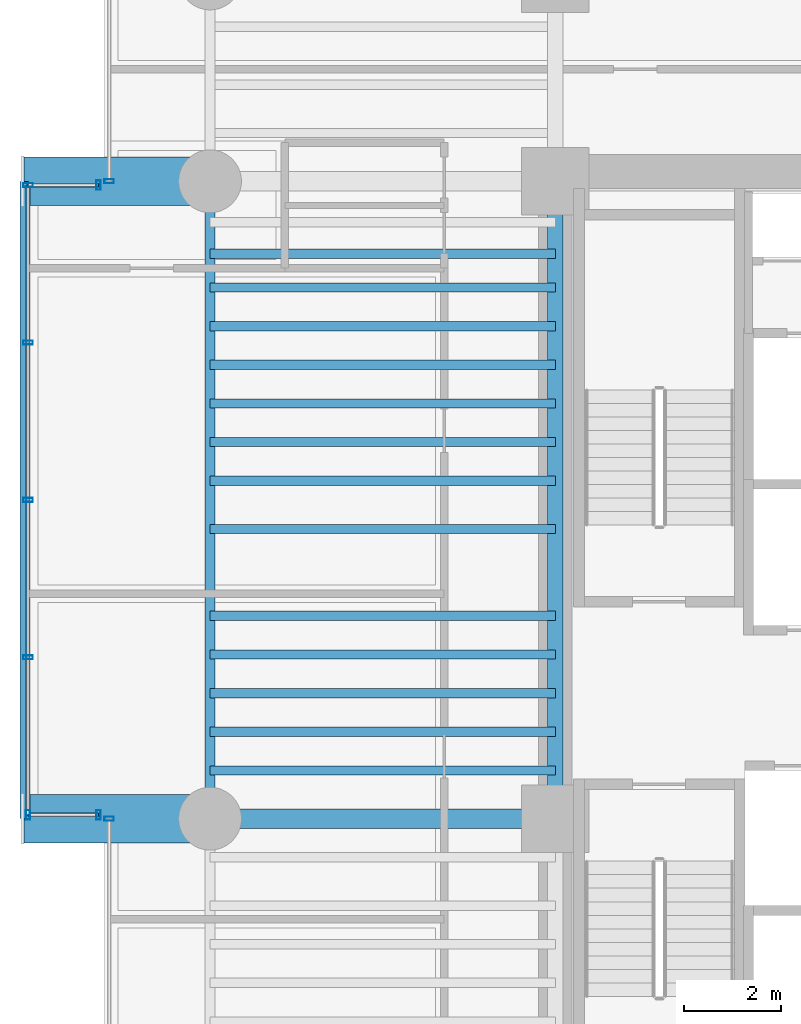
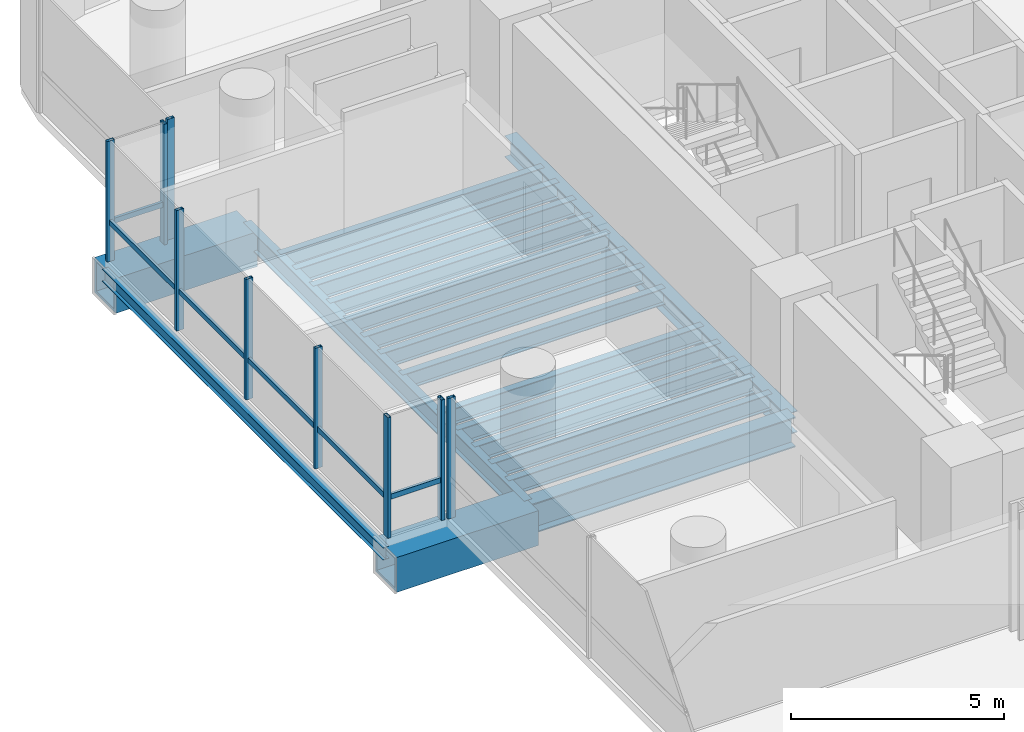
# One storey, part 8 of 39: 19 beams, 12 members, 5 elements without a shape of their own.
"""IFC4 building model written with IfcOpenShell, lengths in metres."""

from ifc_helpers import new_model, si_unit, direction, frame, origin, origin_2d, place, context, subcontext, project, spatial, hollow_rectangle, i_section, extrude, source, transform, mapped, material, material_profile, profile_set, type_object, element, aggregate, save


model = new_model("IFC4")

# Units and contexts
model_context = context("Model", 3, precision=1e-05, world=origin(), true_north=direction((0.0, 1.0)))
body_context = subcontext(model_context, "Body", "Model", "MODEL_VIEW")
ifc_project = project(units=[si_unit("LENGTHUNIT", "METRE"), si_unit("AREAUNIT", "SQUARE_METRE"), si_unit("VOLUMEUNIT", "CUBIC_METRE"), si_unit("PLANEANGLEUNIT", "RADIAN"), si_unit("MASSUNIT", "GRAM", prefix="KILO")], contexts=[model_context])

# Site, building, storey
site_placement = place(None, origin())
site = spatial("IfcSite", under=ifc_project, at=site_placement, CompositionType="ELEMENT")
building_placement = place(site_placement, origin())
building = spatial("IfcBuilding", under=site, at=building_placement, Name="Valdorenza Pilgrim Sanctuary Tower", CompositionType="ELEMENT")
storey_placement = place(building_placement, frame((0.0, 0.0, 70.39990234375)))
storey = spatial("IfcBuildingStorey", under=building, at=storey_placement, Name="L17", CompositionType="ELEMENT", Elevation=70.39990234375)

# Beams
ifc_material_1 = material(Name="Steel ASTM A992 Grade 50", Category="steel")
ifc_material_profile_1 = material_profile(ifc_material_1, i_section(OverallWidth=0.214111328125, OverallDepth=0.549072265625, WebThickness=0.0146484375, FlangeThickness=0.023681640625, at=origin_2d()), Name="W21X93")
ifc_profile_set_1 = profile_set([ifc_material_profile_1], Name="Steel ASTM A992 Grade 50")
beam_type_1 = type_object("IfcBeamType", Name="STR-BM-SPN-W21A", PredefinedType="SPANDREL", material=ifc_profile_set_1)
shared_shape_1 = source(origin(), body_context, "Body", "SweptSolid", [
    extrude(i_section(OverallWidth=0.214111328125, OverallDepth=0.549072265625, WebThickness=0.0146484375, FlangeThickness=0.023681640625, at=origin_2d()), origin(), (0.0, 0.0, 1.0), 13.2001953125),
])
beam_1_placement = place(storey_placement, frame((-29.800048828125, -2.60009765625, -0.514404296875), z_axis=(0.0, 1.0, 0.0), x_axis=(-1.0, 0.0, 0.0)))
element("IfcBeam", 1, at=beam_1_placement, inside=storey, type_object=beam_type_1, Name="L17 Spandrel Beam WA-W-M0N1", PredefinedType="SPANDREL", context=body_context, shape_type="MappedRepresentation", body=[
    mapped(shared_shape_1, transform((0.0, 0.0, 0.0), x_axis=(1.0, 0.0, 0.0), y_axis=(0.0, 1.0, 0.0), z_axis=(0.0, 0.0, 1.0), scale=1.0)),
])
ifc_material_profile_2 = material_profile(ifc_material_1, i_section(OverallWidth=0.323974609375, OverallDepth=0.611083984375, WebThickness=0.0126953125, FlangeThickness=0.01904296875, at=origin_2d()), Name="W24X104")
ifc_profile_set_2 = profile_set([ifc_material_profile_2], Name="Steel ASTM A992 Grade 50")
beam_type_2 = type_object("IfcBeamType", Name="STR-BM-GRD-W24B", PredefinedType="BEAM", material=ifc_profile_set_2)
shared_shape_2 = source(origin(), body_context, "Body", "SweptSolid", [
    extrude(i_section(OverallWidth=0.323974609375, OverallDepth=0.611083984375, WebThickness=0.0126953125, FlangeThickness=0.01904296875, at=origin_2d()), origin(), (0.0, 0.0, 1.0), 13.2001953125),
])
beam_2_placement = place(storey_placement, frame((-22.64990234375, -2.60009765625, -0.54541015625), z_axis=(0.0, 1.0, 0.0), x_axis=(-1.0, 0.0, 0.0)))
element("IfcBeam", 2, at=beam_2_placement, inside=storey, type_object=beam_type_2, Name="L17 Core Tie Girder CA-W-M0N1", PredefinedType="BEAM", context=body_context, shape_type="MappedRepresentation", body=[
    mapped(shared_shape_2, transform((0.0, 0.0, 0.0), x_axis=(1.0, 0.0, 0.0), y_axis=(0.0, 1.0, 0.0), z_axis=(0.0, 0.0, 1.0), scale=1.0)),
])
ifc_material_profile_3 = material_profile(ifc_material_1, i_section(OverallWidth=0.193115234375, OverallDepth=0.466064453125, WebThickness=0.011474609375, FlangeThickness=0.01904296875, at=origin_2d()), Name="W18X65")
ifc_profile_set_3 = profile_set([ifc_material_profile_3], Name="Steel ASTM A992 Grade 50")
beam_type_3 = type_object("IfcBeamType", Name="STR-BM-JST-W18A", PredefinedType="JOIST", material=ifc_profile_set_3)
shared_shape_3 = source(origin(), body_context, "Body", "SweptSolid", [
    extrude(i_section(OverallWidth=0.193115234375, OverallDepth=0.466064453125, WebThickness=0.011474609375, FlangeThickness=0.01904296875, at=origin_2d()), origin(), (0.0, 0.0, 1.0), 7.150146484375),
])
for number, where, z_axis, x_axis, name in (
    (3, (-29.800048828125, -1.60009765625, -0.472900390625), (1.0, 0.0, 0.0), (0.0, 1.0, 0.0), "L17 Composite Floor Joist JST-WA-10"),
    (4, (-29.800048828125, -0.800048828125, -0.472900390625), (1.0, 0.0, 0.0), (0.0, 1.0, 0.0), "L17 Composite Floor Joist JST-WA-11"),
    (5, (-29.800048828125, 0.0, -0.472900390625), (1.0, 0.0, 0.0), (0.0, 1.0, 0.0), "L17 Composite Floor Joist JST-WA-12"),
    (6, (-29.800048828125, 0.800048828125, -0.472900390625), (1.0, 0.0, 0.0), (0.0, 1.0, 0.0), "L17 Composite Floor Joist JST-WA-13"),
    (7, (-29.800048828125, 1.60009765625, -0.472900390625), (1.0, 0.0, 0.0), (0.0, 1.0, 0.0), "L17 Composite Floor Joist JST-WA-14"),
    (8, (-29.800048828125, 3.39990234375, -0.472900390625), (1.0, 0.0, 0.0), (0.0, 1.0, 0.0), "L17 Composite Floor Joist JST-WA-15"),
    (9, (-29.800048828125, 4.39990234375, -0.472900390625), (1.0, 0.0, 0.0), (0.0, 1.0, 0.0), "L17 Composite Floor Joist JST-WA-16"),
    (10, (-29.800048828125, 5.199951171875, -0.472900390625), (1.0, 0.0, 0.0), (0.0, 1.0, 0.0), "L17 Composite Floor Joist JST-WA-17"),
    (11, (-29.800048828125, 6.0, -0.472900390625), (1.0, 0.0, 0.0), (0.0, 1.0, 0.0), "L17 Composite Floor Joist JST-WA-18"),
    (12, (-29.800048828125, 6.800048828125, -0.472900390625), (1.0, 0.0, 0.0), (0.0, 1.0, 0.0), "L17 Composite Floor Joist JST-WA-19"),
    (13, (-29.800048828125, 7.60009765625, -0.472900390625), (1.0, 0.0, 0.0), (0.0, 1.0, 0.0), "L17 Composite Floor Joist JST-WA-20"),
    (14, (-29.800048828125, 8.39990234375, -0.472900390625), (1.0, 0.0, 0.0), (0.0, 1.0, 0.0), "L17 Composite Floor Joist JST-WA-21"),
    (15, (-29.800048828125, 9.10009765625, -0.472900390625), (1.0, 0.0, 0.0), (0.0, 1.0, 0.0), "L17 Composite Floor Joist JST-WA-22"),
):
    element("IfcBeam", number, at=place(storey_placement, frame(where, z_axis=z_axis, x_axis=x_axis)), inside=storey, type_object=beam_type_3, Name=name, PredefinedType="JOIST", context=body_context, shape_type="MappedRepresentation", body=[
        mapped(shared_shape_3, transform((0.0, 0.0, 0.0), x_axis=(1.0, 0.0, 0.0), y_axis=(0.0, 1.0, 0.0), z_axis=(0.0, 0.0, 1.0), scale=1.0)),
    ])
ifc_material_2 = material(Name="Steel ASTM A572 Grade 42", Category="steel")
ifc_material_profile_4 = material_profile(ifc_material_2, hollow_rectangle(XDim=1.0, YDim=1.0, WallThickness=0.080078125, at=origin_2d()), Name="BOX 1000x1000x80")
ifc_profile_set_4 = profile_set([ifc_material_profile_4], Name="Steel ASTM A572 Grade 42")
beam_type_4 = type_object("IfcBeamType", Name="STR-BM-PROW-CANT", PredefinedType="BEAM", material=ifc_profile_set_4)
shared_shape_4 = source(origin(), body_context, "Body", "SweptSolid", [
    extrude(hollow_rectangle(XDim=1.0, YDim=1.0, WallThickness=0.080078125, at=origin_2d()), origin(), (0.0, 0.0, 1.0), 3.849853515625),
])
for number, where, z_axis, x_axis, name in (
    (16, (-29.800048828125, 10.60009765625, -0.739990234375), (-1.0, 0.0, 0.0), (0.0, -1.0, 0.0), "L17 Glass Box Cantilever Beam BOX-WA-L17-CT-N"),
    (17, (-29.800048828125, -2.60009765625, -0.739990234375), (-1.0, 0.0, 0.0), (0.0, -1.0, 0.0), "L17 Glass Box Cantilever Beam BOX-WA-L17-CT-S"),
):
    element("IfcBeam", number, at=place(storey_placement, frame(where, z_axis=z_axis, x_axis=x_axis)), inside=storey, type_object=beam_type_4, Name=name, PredefinedType="BEAM", context=body_context, shape_type="MappedRepresentation", body=[
        mapped(shared_shape_4, transform((0.0, 0.0, 0.0), x_axis=(1.0, 0.0, 0.0), y_axis=(0.0, 1.0, 0.0), z_axis=(0.0, 0.0, 1.0), scale=1.0)),
    ])
ifc_material_profile_5 = material_profile(ifc_material_1, i_section(OverallWidth=0.39990234375, OverallDepth=0.862060546875, WebThickness=0.019775390625, FlangeThickness=0.032470703125, at=origin_2d()), Name="W33X221")
ifc_profile_set_5 = profile_set([ifc_material_profile_5], Name="Steel ASTM A992 Grade 50")
beam_type_5 = type_object("IfcBeamType", Name="STR-BM-GRD-W33", PredefinedType="BEAM", material=ifc_profile_set_5)
shared_shape_5 = source(origin(), body_context, "Body", "SweptSolid", [
    extrude(i_section(OverallWidth=0.39990234375, OverallDepth=0.862060546875, WebThickness=0.019775390625, FlangeThickness=0.032470703125, at=origin_2d()), origin(), (0.0, 0.0, 1.0), 7.150146484375),
])
beam_3_placement = place(storey_placement, frame((-29.800048828125, -2.60009765625, -0.6708984375), z_axis=(1.0, 0.0, 0.0), x_axis=(0.0, 1.0, 0.0)))
element("IfcBeam", 18, at=beam_3_placement, inside=storey, type_object=beam_type_5, Name="L17 Floor Girder WA-XW-M0", PredefinedType="BEAM", context=body_context, shape_type="MappedRepresentation", body=[
    mapped(shared_shape_5, transform((0.0, 0.0, 0.0), x_axis=(1.0, 0.0, 0.0), y_axis=(0.0, 1.0, 0.0), z_axis=(0.0, 0.0, 1.0), scale=1.0)),
])
ifc_material_profile_6 = material_profile(ifc_material_1, i_section(OverallWidth=0.1708984375, OverallDepth=0.35107421875, WebThickness=0.0068359375, FlangeThickness=0.009765625, at=origin_2d()), Name="W14X30")
ifc_profile_set_6 = profile_set([ifc_material_profile_6], Name="Steel ASTM A992 Grade 50")
beam_type_6 = type_object("IfcBeamType", Name="STR-BM-BOX-W14", PredefinedType="BEAM", material=ifc_profile_set_6)
shared_shape_6 = source(origin(), body_context, "Body", "SweptSolid", [
    extrude(i_section(OverallWidth=0.1708984375, OverallDepth=0.35107421875, WebThickness=0.0068359375, FlangeThickness=0.009765625, at=origin_2d()), origin(), (0.0, 0.0, 1.0), 13.2001953125),
])
beam_4_placement = place(storey_placement, frame((-33.64990234375, -2.60009765625, -0.415283203125), z_axis=(0.0, 1.0, 0.0), x_axis=(-1.0, 0.0, 0.0)))
element("IfcBeam", 19, at=beam_4_placement, inside=storey, type_object=beam_type_6, Name="L17 Glass Box Edge Beam BOX-WA-L17-F", PredefinedType="BEAM", context=body_context, shape_type="MappedRepresentation", body=[
    mapped(shared_shape_6, transform((0.0, 0.0, 0.0), x_axis=(1.0, 0.0, 0.0), y_axis=(0.0, 1.0, 0.0), z_axis=(0.0, 0.0, 1.0), scale=1.0)),
])

# Curtain wall, member
ifc_material_3 = material(Name="Curtain-wall IGU glazing", Category="glass")
curtain_wall_type = type_object("IfcCurtainWallType", Name="CW-SYS-02", PredefinedType="NOTDEFINED", material=ifc_material_3)
curtain_wall_1_placement = place(storey_placement, origin())
curtain_wall_1 = element("IfcCurtainWall", 20, at=curtain_wall_1_placement, inside=storey, type_object=curtain_wall_type, Name="L17 Curtain Wall CW-L17-BOX-WA-L17-S", PredefinedType="NOTDEFINED")
ifc_material_4 = material(Name="Anodised aluminium AW-6060", Category="aluminium")
ifc_material_profile_7 = material_profile(ifc_material_4, hollow_rectangle(XDim=0.074951171875, YDim=0.14990234375, WallThickness=0.00390625, at=origin_2d()), Name="ALU-T 150x75x4")
ifc_profile_set_7 = profile_set([ifc_material_profile_7], Name="Anodised aluminium AW-6060")
member_type_1 = type_object("IfcMemberType", Name="CW-TRN-02", PredefinedType="USERDEFINED", material=ifc_profile_set_7)
shared_shape_7 = source(origin(), body_context, "Body", "SweptSolid", [
    extrude(hollow_rectangle(XDim=0.074951171875, YDim=0.14990234375, WallThickness=0.00390625, at=origin_2d()), origin(), (0.0, 0.0, 1.0), 1.4599609375),
])
member_1_placement = place(storey_placement, frame((-32.110107421875, -2.52001953125, 1.1201171875), z_axis=(-1.0, 0.0, 0.0), x_axis=(0.0, -1.0, 0.0)))
member_1 = element("IfcMember", 21, at=member_1_placement, type_object=member_type_1, Name="CW-L17-BOX-WA-L17-S Transom 1", ObjectType="TRANSOM", PredefinedType="USERDEFINED", context=body_context, shape_type="MappedRepresentation", body=[
    mapped(shared_shape_7, transform((0.0, 0.0, 0.0), x_axis=(1.0, 0.0, 0.0), y_axis=(0.0, 1.0, 0.0), z_axis=(0.0, 0.0, 1.0), scale=1.0)),
])

curtain_wall_2_placement = place(storey_placement, origin())
curtain_wall_2 = element("IfcCurtainWall", 22, at=curtain_wall_2_placement, inside=storey, type_object=curtain_wall_type, Name="L17 Curtain Wall CW-L17-BOX-WA-L17-N", PredefinedType="NOTDEFINED")
member_2_placement = place(storey_placement, frame((-33.570068359375, 10.52001953125, 1.1201171875), z_axis=(1.0, 0.0, 0.0), x_axis=(0.0, 1.0, 0.0)))
member_2 = element("IfcMember", 23, at=member_2_placement, type_object=member_type_1, Name="CW-L17-BOX-WA-L17-N Transom 1", ObjectType="TRANSOM", PredefinedType="USERDEFINED", context=body_context, shape_type="MappedRepresentation", body=[
    mapped(shared_shape_7, transform((0.0, 0.0, 0.0), x_axis=(1.0, 0.0, 0.0), y_axis=(0.0, 1.0, 0.0), z_axis=(0.0, 0.0, 1.0), scale=1.0)),
])

curtain_wall_3_placement = place(storey_placement, origin())
curtain_wall_3 = element("IfcCurtainWall", 24, at=curtain_wall_3_placement, inside=storey, type_object=curtain_wall_type, Name="L17 Curtain Wall CW-L17-1-1S1", PredefinedType="NOTDEFINED")
ifc_material_profile_8 = material_profile(ifc_material_4, hollow_rectangle(XDim=0.0849609375, YDim=0.199951171875, WallThickness=0.0048828125, at=origin_2d()), Name="ALU-M 200x85x5")
ifc_profile_set_8 = profile_set([ifc_material_profile_8], Name="Anodised aluminium AW-6060")
member_type_2 = type_object("IfcMemberType", Name="CW-MUL-02", PredefinedType="MULLION", material=ifc_profile_set_8)
shared_shape_8 = source(origin(), body_context, "Body", "SweptSolid", [
    extrude(hollow_rectangle(XDim=0.0849609375, YDim=0.199951171875, WallThickness=0.0048828125, at=origin_2d()), origin(), (0.0, 0.0, 1.0), 3.460205078125),
])
member_3_placement = place(storey_placement, frame((-31.889892578125, -2.60009765625, 0.0), z_axis=(0.0, 0.0, 1.0), x_axis=(0.0, 1.0, 0.0)))
member_3 = element("IfcMember", 25, at=member_3_placement, type_object=member_type_2, Name="CW-L17-1-1S1 Mullion 3", PredefinedType="MULLION", context=body_context, shape_type="MappedRepresentation", body=[
    mapped(shared_shape_8, transform((0.0, 0.0, 0.0), x_axis=(1.0, 0.0, 0.0), y_axis=(0.0, 1.0, 0.0), z_axis=(0.0, 0.0, 1.0), scale=1.0)),
])
aggregate(curtain_wall_3, [member_3])

curtain_wall_4_placement = place(storey_placement, origin())
curtain_wall_4 = element("IfcCurtainWall", 26, at=curtain_wall_4_placement, inside=storey, type_object=curtain_wall_type, Name="L17 Curtain Wall CW-L17-1-1S2", PredefinedType="NOTDEFINED")
member_4_placement = place(storey_placement, frame((-31.889892578125, 10.60009765625, 0.0), z_axis=(0.0, 0.0, 1.0), x_axis=(0.0, 1.0, 0.0)))
member_4 = element("IfcMember", 27, at=member_4_placement, type_object=member_type_2, Name="CW-L17-1-1S2 Mullion 1", PredefinedType="MULLION", context=body_context, shape_type="MappedRepresentation", body=[
    mapped(shared_shape_8, transform((0.0, 0.0, 0.0), x_axis=(1.0, 0.0, 0.0), y_axis=(0.0, 1.0, 0.0), z_axis=(0.0, 0.0, 1.0), scale=1.0)),
])
aggregate(curtain_wall_4, [member_4])

# Member
member_5_placement = place(storey_placement, frame((-32.110107421875, -2.52001953125, 0.0), z_axis=(0.0, 0.0, 1.0), x_axis=(-1.0, 0.0, 0.0)))
member_5 = element("IfcMember", 28, at=member_5_placement, type_object=member_type_2, Name="CW-L17-BOX-WA-L17-S Mullion 1", PredefinedType="MULLION", context=body_context, shape_type="MappedRepresentation", body=[
    mapped(shared_shape_8, transform((0.0, 0.0, 0.0), x_axis=(1.0, 0.0, 0.0), y_axis=(0.0, 1.0, 0.0), z_axis=(0.0, 0.0, 1.0), scale=1.0)),
])

member_6_placement = place(storey_placement, frame((-33.570068359375, -2.52001953125, 0.0), z_axis=(0.0, 0.0, 1.0), x_axis=(-1.0, 0.0, 0.0)))
member_6 = element("IfcMember", 29, at=member_6_placement, type_object=member_type_2, Name="CW-L17-BOX-WA-L17-S Mullion 2", PredefinedType="MULLION", context=body_context, shape_type="MappedRepresentation", body=[
    mapped(shared_shape_8, transform((0.0, 0.0, 0.0), x_axis=(1.0, 0.0, 0.0), y_axis=(0.0, 1.0, 0.0), z_axis=(0.0, 0.0, 1.0), scale=1.0)),
])

aggregate(curtain_wall_1, [member_5, member_6, member_1])

# Curtain wall, members
curtain_wall_5_placement = place(storey_placement, origin())
curtain_wall_5 = element("IfcCurtainWall", 30, at=curtain_wall_5_placement, inside=storey, type_object=curtain_wall_type, Name="L17 Curtain Wall CW-L17-BOX-WA-L17-F", PredefinedType="NOTDEFINED")
member_7_placement = place(storey_placement, frame((-33.570068359375, 0.739990234375, 0.0), z_axis=(0.0, 0.0, 1.0), x_axis=(0.0, 1.0, 0.0)))
member_7 = element("IfcMember", 31, at=member_7_placement, type_object=member_type_2, Name="CW-L17-BOX-WA-L17-F Mullion 2", PredefinedType="MULLION", context=body_context, shape_type="MappedRepresentation", body=[
    mapped(shared_shape_8, transform((0.0, 0.0, 0.0), x_axis=(1.0, 0.0, 0.0), y_axis=(0.0, 1.0, 0.0), z_axis=(0.0, 0.0, 1.0), scale=1.0)),
])
member_8_placement = place(storey_placement, frame((-33.570068359375, 4.0, 0.0), z_axis=(0.0, 0.0, 1.0), x_axis=(0.0, 1.0, 0.0)))
member_8 = element("IfcMember", 32, at=member_8_placement, type_object=member_type_2, Name="CW-L17-BOX-WA-L17-F Mullion 3", PredefinedType="MULLION", context=body_context, shape_type="MappedRepresentation", body=[
    mapped(shared_shape_8, transform((0.0, 0.0, 0.0), x_axis=(1.0, 0.0, 0.0), y_axis=(0.0, 1.0, 0.0), z_axis=(0.0, 0.0, 1.0), scale=1.0)),
])
member_9_placement = place(storey_placement, frame((-33.570068359375, 7.260009765625, 0.0), z_axis=(0.0, 0.0, 1.0), x_axis=(0.0, 1.0, 0.0)))
member_9 = element("IfcMember", 33, at=member_9_placement, type_object=member_type_2, Name="CW-L17-BOX-WA-L17-F Mullion 4", PredefinedType="MULLION", context=body_context, shape_type="MappedRepresentation", body=[
    mapped(shared_shape_8, transform((0.0, 0.0, 0.0), x_axis=(1.0, 0.0, 0.0), y_axis=(0.0, 1.0, 0.0), z_axis=(0.0, 0.0, 1.0), scale=1.0)),
])
member_10_placement = place(storey_placement, frame((-33.570068359375, 10.52001953125, 0.0), z_axis=(0.0, 0.0, 1.0), x_axis=(0.0, 1.0, 0.0)))
member_10 = element("IfcMember", 34, at=member_10_placement, type_object=member_type_2, Name="CW-L17-BOX-WA-L17-F Mullion 5", PredefinedType="MULLION", context=body_context, shape_type="MappedRepresentation", body=[
    mapped(shared_shape_8, transform((0.0, 0.0, 0.0), x_axis=(1.0, 0.0, 0.0), y_axis=(0.0, 1.0, 0.0), z_axis=(0.0, 0.0, 1.0), scale=1.0)),
])

# Member
member_11_placement = place(storey_placement, frame((-32.110107421875, 10.52001953125, 0.0), z_axis=(0.0, 0.0, 1.0), x_axis=(1.0, 0.0, 0.0)))
member_11 = element("IfcMember", 35, at=member_11_placement, type_object=member_type_2, Name="CW-L17-BOX-WA-L17-N Mullion 2", PredefinedType="MULLION", context=body_context, shape_type="MappedRepresentation", body=[
    mapped(shared_shape_8, transform((0.0, 0.0, 0.0), x_axis=(1.0, 0.0, 0.0), y_axis=(0.0, 1.0, 0.0), z_axis=(0.0, 0.0, 1.0), scale=1.0)),
])

aggregate(curtain_wall_2, [member_11, member_2])

shared_shape_9 = source(origin(), body_context, "Body", "SweptSolid", [
    extrude(hollow_rectangle(XDim=0.074951171875, YDim=0.14990234375, WallThickness=0.00390625, at=origin_2d()), origin(), (0.0, 0.0, 1.0), 13.0400390625),
])
member_12_placement = place(storey_placement, frame((-33.570068359375, -2.52001953125, 1.1201171875), z_axis=(0.0, 1.0, 0.0), x_axis=(-1.0, 0.0, 0.0)))
member_12 = element("IfcMember", 36, at=member_12_placement, type_object=member_type_1, Name="CW-L17-BOX-WA-L17-F Transom 1", ObjectType="TRANSOM", PredefinedType="USERDEFINED", context=body_context, shape_type="MappedRepresentation", body=[
    mapped(shared_shape_9, transform((0.0, 0.0, 0.0), x_axis=(1.0, 0.0, 0.0), y_axis=(0.0, 1.0, 0.0), z_axis=(0.0, 0.0, 1.0), scale=1.0)),
])

aggregate(curtain_wall_5, [member_7, member_8, member_9, member_10, member_12])

save(model, "model.ifc")
